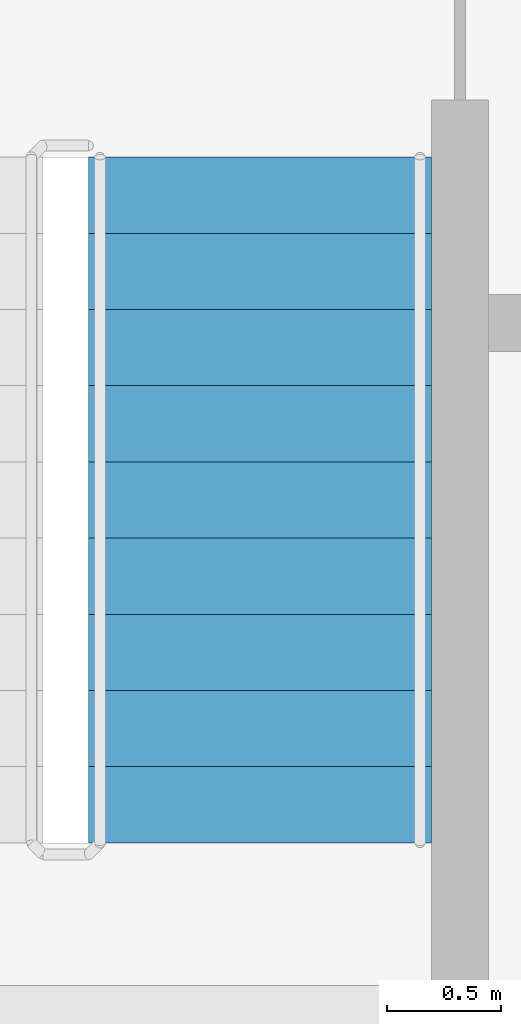
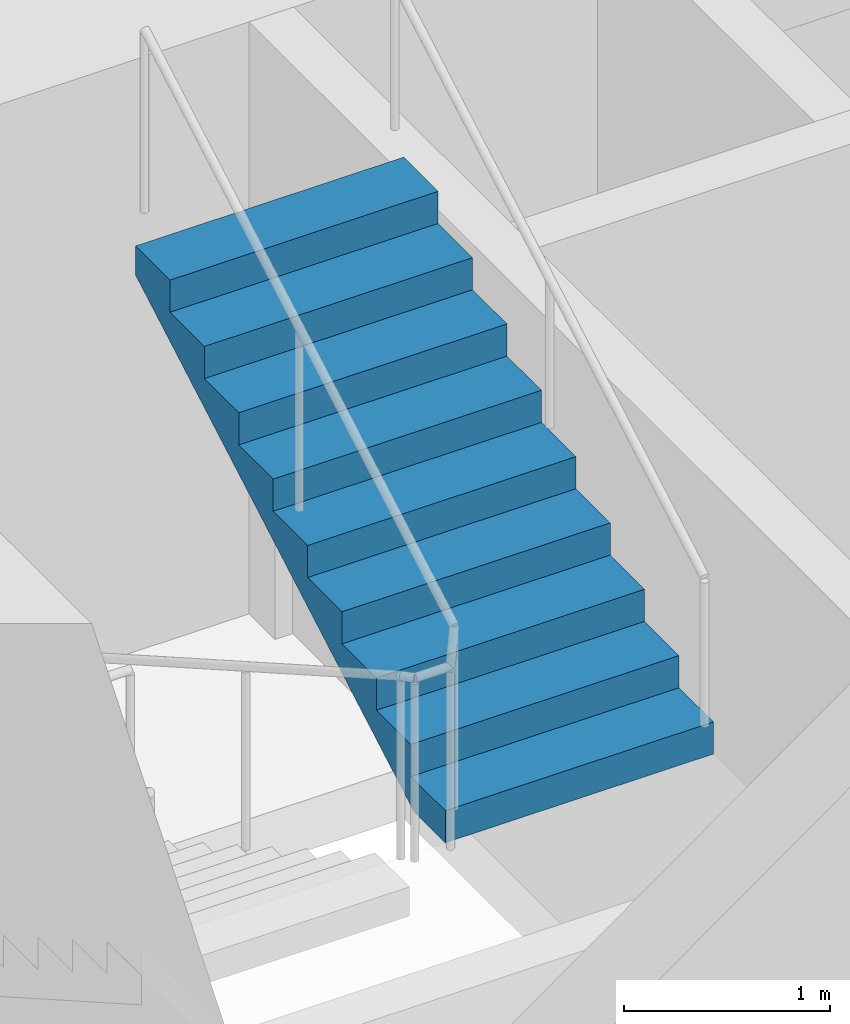
# One storey, part 10 of 12: 1 stair flight, 1 element without a shape of its own.
"""IFC4 building model written with IfcOpenShell, lengths in metres."""

import ifcopenshell
import ifcopenshell.guid

model = None  # the IFC model being written
_history = None  # IfcOwnerHistory: only IFC2X3 demands one
_inside = {}  # id of a spatial element -> (the spatial element, [elements in it])
_under = {}  # id of a project, library or spatial element -> (it, [spatial elements below it])
_declared = {}  # id of a project -> (the project, [libraries it declares])
_typed = {}  # id of a type object -> (the type object, [elements of that type])
_made_of = {}  # id of a material, layer set ... -> (it, [elements and type objects made of it])


def new_model(schema):
    """Start an empty IFC model of exactly this schema.

    Asked for "IFC4X3", IfcOpenShell would pick the latest addendum, in which some entities
    have other attributes; the version numbers below select the first issue.
    IFC2X3 requires an IfcOwnerHistory on every rooted entity: one is made here for all.
    """
    global model, _history
    if schema == "IFC4X3":
        model = ifcopenshell.file(schema_version=(4, 3, 0, 0))
    else:
        model = ifcopenshell.file(schema=schema)
    _inside.clear()
    _under.clear()
    _declared.clear()
    _typed.clear()
    _made_of.clear()
    _history = None
    if model.schema == "IFC2X3":
        org = make("IfcOrganization", Name="unknown")
        user = make(
            "IfcPersonAndOrganization",
            ThePerson=make("IfcPerson", FamilyName="unknown"),
            TheOrganization=org,
        )
        app = make(
            "IfcApplication",
            ApplicationDeveloper=org,
            Version="unknown",
            ApplicationFullName="unknown",
            ApplicationIdentifier="unknown",
        )
        _history = make(
            "IfcOwnerHistory",
            OwningUser=user,
            OwningApplication=app,
            ChangeAction="ADDED",
            CreationDate=0,
        )
    return model


def make(cls, **values):
    """One entity of the class cls with the attributes given. An attribute that is None is left unset."""
    return model.create_entity(
        cls, **{name: value for name, value in values.items() if value is not None}
    )


def rooted(cls, **values):
    """An entity with a GlobalId (a new one), such as an element, a storey or a relation."""
    return make(cls, GlobalId=ifcopenshell.guid.new(), OwnerHistory=_history, **values)


def si_unit(unit_type, name, prefix=None):
    """IfcSIUnit, for example si_unit("LENGTHUNIT", "METRE", prefix="MILLI")."""
    return make("IfcSIUnit", UnitType=unit_type, Prefix=prefix, Name=name)


def assignment(units):
    """IfcUnitAssignment: the units of a project."""
    return None if units is None else make("IfcUnitAssignment", Units=units)


def point(xyz):
    """IfcCartesianPoint."""
    return None if xyz is None else make("IfcCartesianPoint", Coordinates=xyz)


def direction(xyz):
    """IfcDirection."""
    return None if xyz is None else make("IfcDirection", DirectionRatios=xyz)


def frame(location, z_axis=None, x_axis=None):
    """IfcAxis2Placement3D, a coordinate frame: its origin and axes. An axis left out is left unset."""
    return make(
        "IfcAxis2Placement3D",
        Location=point(location),
        Axis=direction(z_axis),
        RefDirection=direction(x_axis),
    )


def origin():
    """The frame at (0, 0, 0) with its axes left unset."""
    return frame((0.0, 0.0, 0.0))


def place(relative_to, where):
    """IfcLocalPlacement: puts the frame where relative to a parent placement (None: the world)."""
    return make(
        "IfcLocalPlacement", PlacementRelTo=relative_to, RelativePlacement=where
    )


def context(
    kind, dimensions, precision=None, world=None, true_north=None, identifier=None
):
    """IfcGeometricRepresentationContext, for example the 3D "Model" context."""
    return make(
        "IfcGeometricRepresentationContext",
        ContextIdentifier=identifier,
        ContextType=kind,
        CoordinateSpaceDimension=dimensions,
        Precision=precision,
        WorldCoordinateSystem=world,
        TrueNorth=true_north,
    )


def subcontext(parent, identifier, kind, view, scale=None):
    """IfcGeometricRepresentationSubContext, for example "Body" below "Model"."""
    return make(
        "IfcGeometricRepresentationSubContext",
        ContextIdentifier=identifier,
        ContextType=kind,
        ParentContext=parent,
        TargetScale=scale,
        TargetView=view,
    )


def project(units=None, contexts=None):
    """IfcProject with its units and contexts."""
    return rooted(
        "IfcProject",
        Name="project",
        RepresentationContexts=contexts,
        UnitsInContext=assignment(units),
    )


def spatial(cls, under=None, at=None, **own):
    """A site, building, storey or space (cls), placed at a placement, below another one or the project."""
    s = rooted(cls, ObjectPlacement=at, **own)
    if under is not None:
        _under.setdefault(under.id(), (under, []))[1].append(s)
    return s


def polyline(points):
    """IfcPolyline through the points."""
    return make("IfcPolyline", Points=[point(p) for p in points])


def outline(outer, holes=None, kind="AREA"):
    """IfcArbitraryClosedProfileDef: a profile drawn as a closed curve; with holes, ...WithVoids."""
    if holes is None:
        return make("IfcArbitraryClosedProfileDef", ProfileType=kind, OuterCurve=outer)
    return make(
        "IfcArbitraryProfileDefWithVoids",
        ProfileType=kind,
        OuterCurve=outer,
        InnerCurves=holes,
    )


def extrude(swept, where, along, depth):
    """IfcExtrudedAreaSolid: the profile swept, set in the frame where, extruded along a direction by depth."""
    return make(
        "IfcExtrudedAreaSolid",
        SweptArea=swept,
        Position=where,
        ExtrudedDirection=direction(along),
        Depth=depth,
    )


def shape(context_of_items, identifier, shape_type, items):
    """IfcShapeRepresentation: the items that make up one representation, for example the "Body"."""
    return make(
        "IfcShapeRepresentation",
        ContextOfItems=context_of_items,
        RepresentationIdentifier=identifier,
        RepresentationType=shape_type,
        Items=items,
    )


def material(Name=None, Category=None):
    """IfcMaterial."""
    return make("IfcMaterial", Name=Name, Category=Category)


def made_of(thing, what):
    """Note that an element or type object is made of a material, layer set ...; save() writes the relation."""
    if what is not None:
        _made_of.setdefault(what.id(), (what, []))[1].append(thing)
    return thing


def type_object(cls, material=None, **own):
    """A type object (cls), such as IfcWallType, which elements share."""
    return made_of(rooted(cls, **own), material)


def element(
    cls,
    number,
    at=None,
    inside=None,
    cuts=None,
    type_object=None,
    material=None,
    context=None,
    identifier="Body",
    shape_type=None,
    held_by="IfcProductDefinitionShape",
    body=None,
    shapes=None,
    **own,
):
    """One element of the class cls, such as IfcWall. Its Tag is "e" and its number.

    at: its placement. inside: the storey or other place that contains it. cuts: it is an
    opening in that element (IfcRelVoidsElement). A single representation is given by context,
    identifier, shape_type and body (its items); several are given by shapes. held_by: the class
    of the entity that holds the representations. save() writes the other relations.
    """
    e = rooted(cls, Tag="e%d" % number, ObjectPlacement=at, **own)
    if body is not None:
        shapes = [shape(context, identifier, shape_type, body)]
    if shapes is not None:
        e.Representation = make(held_by, Representations=shapes)
    if inside is not None:
        _inside.setdefault(inside.id(), (inside, []))[1].append(e)
    if cuts is not None:
        rooted(
            "IfcRelVoidsElement", RelatingBuildingElement=cuts, RelatedOpeningElement=e
        )
    if type_object is not None:
        _typed.setdefault(type_object.id(), (type_object, []))[1].append(e)
    return made_of(e, material)


def aggregate(whole, parts):
    """IfcRelAggregates: a whole, such as a stair, and the parts it consists of."""
    return rooted("IfcRelAggregates", RelatingObject=whole, RelatedObjects=parts)


def save(model, path):
    """Write the relations noted so far, then the file.

    IfcRelAggregates (storeys below a building ...), IfcRelContainedInSpatialStructure (elements
    in a storey), IfcRelDefinesByType, IfcRelAssociatesMaterial and IfcRelDeclares: one each for
    every whole, place, type object, material and project.
    """
    for whole, parts in _under.values():
        aggregate(whole, parts)
    for where, things in _inside.values():
        rooted(
            "IfcRelContainedInSpatialStructure",
            RelatedElements=things,
            RelatingStructure=where,
        )
    for kind, things in _typed.values():
        rooted("IfcRelDefinesByType", RelatedObjects=things, RelatingType=kind)
    for what, things in _made_of.values():
        rooted("IfcRelAssociatesMaterial", RelatedObjects=things, RelatingMaterial=what)
    for by, libraries in _declared.values():
        rooted("IfcRelDeclares", RelatingContext=by, RelatedDefinitions=libraries)
    model.write(path)


model = new_model("IFC4")

# Units and contexts
model_context = context("Model", 3, precision=1e-05, world=origin(), true_north=direction((0.0, 1.0)))
body_context = subcontext(model_context, "Body", "Model", "MODEL_VIEW")
ifc_project = project(units=[si_unit("LENGTHUNIT", "METRE"), si_unit("AREAUNIT", "SQUARE_METRE"), si_unit("VOLUMEUNIT", "CUBIC_METRE"), si_unit("PLANEANGLEUNIT", "RADIAN"), si_unit("MASSUNIT", "GRAM", prefix="KILO")], contexts=[model_context])

# Site, building, storey
site_placement = place(None, origin())
site = spatial("IfcSite", under=ifc_project, at=site_placement, CompositionType="ELEMENT")
building_placement = place(site_placement, origin())
building = spatial("IfcBuilding", under=site, at=building_placement, Name="Tabaq Tower and Sports Hall", CompositionType="ELEMENT")
storey_placement = place(building_placement, frame((0.0, 0.0, 99.199951171875)))
storey = spatial("IfcBuildingStorey", under=building, at=storey_placement, Name="L23", CompositionType="ELEMENT", Elevation=99.199951171875)

# Stair, stair flight
ifc_material_1 = material(Name="Concrete C40/50", Category="concrete")
stair_type = type_object("IfcStairType", Name="Exit stair", PredefinedType="HALF_TURN_STAIR", material=ifc_material_1)
stair_placement = place(storey_placement, origin())
stair = element("IfcStair", 1, at=stair_placement, inside=storey, type_object=stair_type, Name="L23 Exit stair ST4", PredefinedType="HALF_TURN_STAIR")
ifc_material_2 = material(Name="Concrete C40/50", Category="concrete")
stair_flight_type = type_object("IfcStairFlightType", Name="Exit stair flight", PredefinedType="STRAIGHT", material=ifc_material_2)
stair_flight_placement = place(storey_placement, frame((33.35009765625, 27.0, 1.900146484375), z_axis=(0.0, 0.0, 1.0), x_axis=(0.0, 1.0, 0.0)))
stair_flight = element("IfcStairFlight", 2, at=stair_flight_placement, type_object=stair_flight_type, Name="ST4 flight 2", NumberOfRisers=10, NumberOfTreads=9, PredefinedType="STRAIGHT", RiserHeight=0.19, TreadLength=0.333333333, context=body_context, shape_type="SweptSolid", body=[
    extrude(outline(polyline([(0.0, 0.0), (0.0, 0.18994140625), (0.333251953125, 0.18994140625), (0.333251953125, 0.3798828125), (0.666748046875, 0.3798828125), (0.666748046875, 0.570068359375), (1.0, 0.570068359375), (1.0, 0.760009765625), (1.333251953125, 0.760009765625), (1.333251953125, 0.949951171875), (1.666748046875, 0.949951171875), (1.666748046875, 1.139892578125), (2.0, 1.139892578125), (2.0, 1.330078125), (2.333251953125, 1.330078125), (2.333251953125, 1.52001953125), (2.666748046875, 1.52001953125), (2.666748046875, 1.7099609375), (3.0, 1.7099609375), (3.0, 1.89990234375), (3.0, 1.537353515625), (0.302734375, 0.0), (0.0, 0.0)])), frame((0.0, 0.75, 0.0), z_axis=(0.0, -1.0, 0.0), x_axis=(1.0, 0.0, 0.0)), (0.0, 0.0, 1.0), 1.5),
])
aggregate(stair, [stair_flight])

save(model, "model.ifc")
